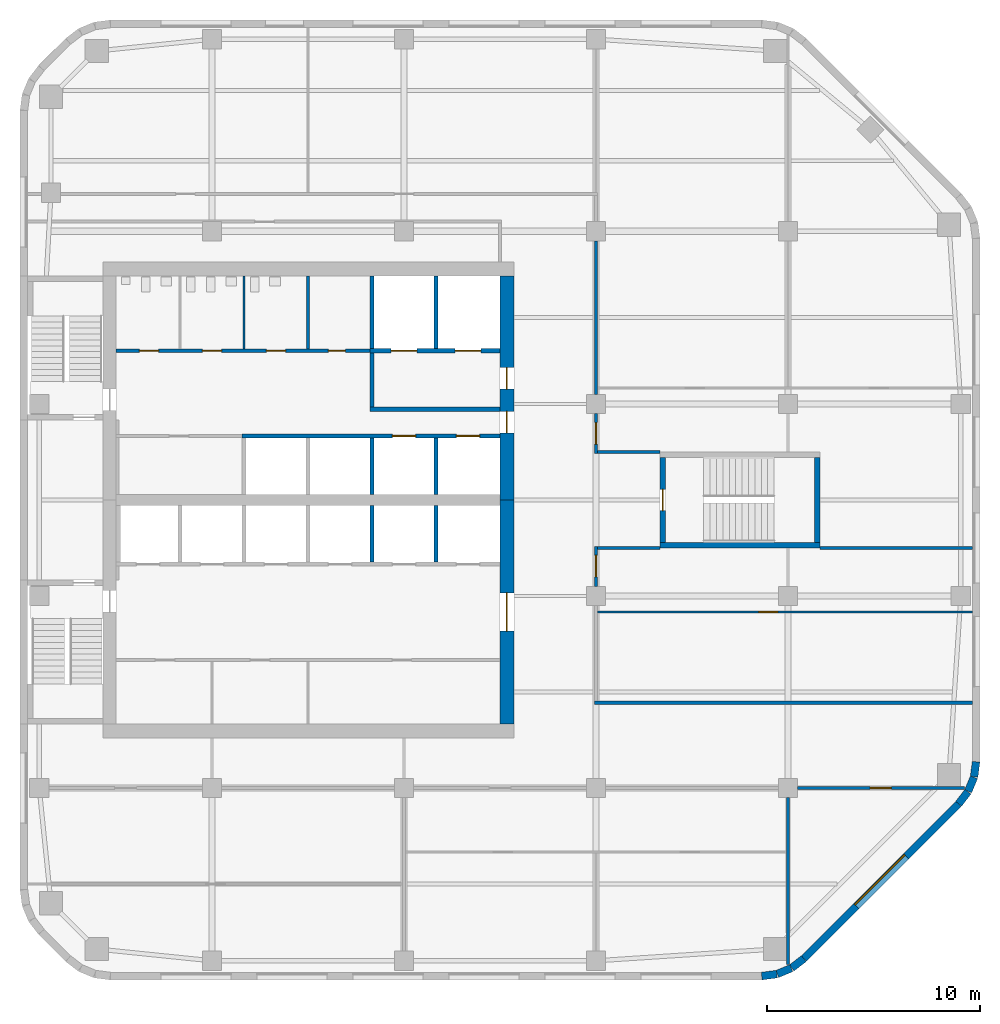
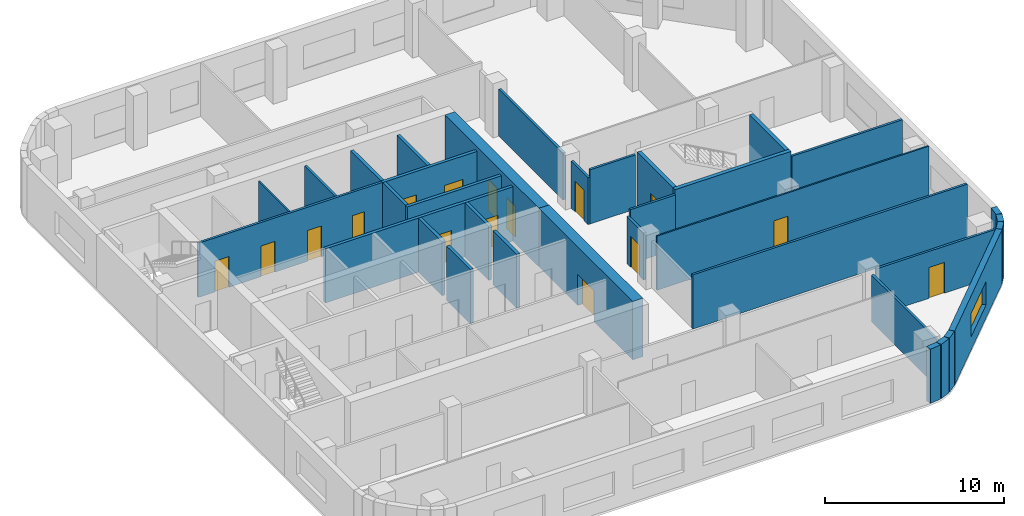
# One storey, part 4 of 8: 35 walls, 16 doors, 1 window, 17 openings.
"""IFC4 building model written with IfcOpenShell, lengths in metres."""

from ifc_helpers import new_model, si_unit, direction, frame, frame_2d, origin, place, context, subcontext, project, spatial, rectangle, extrude, material, layer, layer_set, type_object, element, fill, save


model = new_model("IFC4")

# Units and contexts
model_context = context("Model", 3, precision=1e-05, world=origin(), true_north=direction((0.0, 1.0)))
body_context = subcontext(model_context, "Body", "Model", "MODEL_VIEW")
ifc_project = project(units=[si_unit("LENGTHUNIT", "METRE"), si_unit("AREAUNIT", "SQUARE_METRE"), si_unit("VOLUMEUNIT", "CUBIC_METRE"), si_unit("PLANEANGLEUNIT", "RADIAN"), si_unit("MASSUNIT", "GRAM", prefix="KILO")], contexts=[model_context])

# Site, building, storey
site_placement = place(None, origin())
site = spatial("IfcSite", under=ifc_project, at=site_placement, CompositionType="ELEMENT")
building_placement = place(site_placement, origin())
building = spatial("IfcBuilding", under=site, at=building_placement, Name="Cinnabar Reach Civic Tower", CompositionType="ELEMENT")
storey_placement = place(building_placement, frame((0.0, 0.0, 189.0)))
storey = spatial("IfcBuildingStorey", under=building, at=storey_placement, Name="L45", CompositionType="ELEMENT", Elevation=189.0)

# Walls
ifc_material_1 = material(Name="Facing brick with insulated backing", Category="masonry")
ifc_layer_1 = layer(ifc_material_1, 0.36)
ifc_layer_set_1 = layer_set([ifc_layer_1], Name="Brick corner wall")
wall_type_1 = type_object("IfcWallType", Name="Brick corner wall", PredefinedType="STANDARD", material=ifc_layer_set_1)
for number, where, z_axis, x_axis, name in (
    (1, (34.7686, 9.183, 0.0), (0.0, 0.0, 1.0), (0.99144092581, 0.13055608231, 0.0), "Brick corner wall"),
    (2, (35.4973, 9.2819, 0.0), (0.0, 0.0, 1.0), (0.923871547278, 0.382702709855, 0.0), "Brick corner wall"),
):
    element("IfcWall", number, at=place(storey_placement, frame(where, z_axis=z_axis, x_axis=x_axis)), inside=storey, type_object=wall_type_1, Name=name, PredefinedType="STANDARD", context=body_context, shape_type="SweptSolid", body=[
        extrude(rectangle(XDim=0.7131, YDim=0.36, at=frame_2d((0.3565, 0.0))), origin(), (0.0, 0.0, 1.0), 3.7),
    ])
for number, where, z_axis, x_axis, name in (
    (3, (36.1755, 9.566, 0.0), (0.0, 0.0, 1.0), (0.793321924995, 0.608802368033, 0.0), "Brick corner wall"),
    (4, (43.9998, 17.2587, 0.0), (0.0, 0.0, 1.0), (0.608802368033, 0.793321924995, 0.0), "Brick corner wall"),
):
    element("IfcWall", number, at=place(storey_placement, frame(where, z_axis=z_axis, x_axis=x_axis)), inside=storey, type_object=wall_type_1, Name=name, PredefinedType="STANDARD", context=body_context, shape_type="SweptSolid", body=[
        extrude(rectangle(XDim=0.7132, YDim=0.36, at=frame_2d((0.3566, 0.0))), origin(), (0.0, 0.0, 1.0), 3.7),
    ])
for number, where, z_axis, x_axis, name in (
    (5, (44.4452, 17.8439, 0.0), (0.0, 0.0, 1.0), (0.382702709855, 0.923871547278, 0.0), "Brick corner wall"),
    (6, (44.7239, 18.5244, 0.0), (0.0, 0.0, 1.0), (0.13055608231, 0.99144092581, 0.0), "Brick corner wall"),
):
    element("IfcWall", number, at=place(storey_placement, frame(where, z_axis=z_axis, x_axis=x_axis)), inside=storey, type_object=wall_type_1, Name=name, PredefinedType="STANDARD", context=body_context, shape_type="SweptSolid", body=[
        extrude(rectangle(XDim=0.7131, YDim=0.36, at=frame_2d((0.3565, 0.0))), origin(), (0.0, 0.0, 1.0), 3.7),
    ])

# Wall, opening, window
ifc_layer_2 = layer(ifc_material_1, 0.36)
ifc_layer_set_2 = layer_set([ifc_layer_2], Name="Brick pier and spandrel wall")
wall_type_2 = type_object("IfcWallType", Name="Brick pier and spandrel wall", PredefinedType="STANDARD", material=ifc_layer_set_2)
wall_1_placement = place(storey_placement, frame((36.7514, 10.006, 0.0), z_axis=(0.0, 0.0, 1.0), x_axis=(0.707106781187, 0.707106781187, 0.0)))
wall_1 = element("IfcWall", 7, at=wall_1_placement, inside=storey, type_object=wall_type_2, Name="Brick facade wall", PredefinedType="STANDARD", context=body_context, shape_type="SweptSolid", body=[
    extrude(rectangle(XDim=10.2426, YDim=0.36, at=frame_2d((5.1213, 0.0))), origin(), (0.0, 0.0, 1.0), 3.7),
])
opening_1_placement = place(wall_1_placement, frame((3.4713, 0.0, 0.9)))
opening_1 = element("IfcOpeningElement", 8, at=opening_1_placement, cuts=wall_1, Name="Opening W1927", PredefinedType="OPENING", context=body_context, shape_type="SweptSolid", body=[
    extrude(rectangle(XDim=3.3, YDim=1.6, at=frame_2d((1.65, 0.8))), frame((0.0, 0.19, 0.0), z_axis=(0.0, -1.0, 0.0), x_axis=(1.0, 0.0, 0.0)), (0.0, 0.0, 1.0), 0.38),
])
ifc_material_2 = material(Name="Clear double glazing in aluminium frame", Category="aluminium")
window_type = type_object("IfcWindowType", Name="Deep-set window A", PartitioningType="SINGLE_PANEL", PredefinedType="WINDOW", material=ifc_material_2)
window_placement = place(opening_1_placement, origin())
window = element("IfcWindow", 9, at=window_placement, inside=storey, type_object=window_type, Name="Window southeast face", OverallHeight=1.6, OverallWidth=3.3, PartitioningType="SINGLE_PANEL", PredefinedType="WINDOW", context=body_context, shape_type="SweptSolid", body=[
    extrude(rectangle(XDim=3.3, YDim=1.6, at=frame_2d((1.65, 0.8))), frame((0.0, 0.13, 0.0), z_axis=(0.0, -1.0, 0.0), x_axis=(1.0, 0.0, 0.0)), (0.0, 0.0, 1.0), 0.06),
])
fill(opening_1, window)

# Wall, opening, door
ifc_material_3 = material(Name="Concrete C70", Category="concrete")
ifc_layer_3 = layer(ifc_material_3, 0.65)
ifc_layer_set_3 = layer_set([ifc_layer_3], Name="Core wall 650 EI 180")
wall_type_3 = type_object("IfcWallType", Name="Core wall 650 EI 180", PredefinedType="SOLIDWALL", material=ifc_layer_set_3)
wall_2_placement = place(storey_placement, frame((22.825, 21.0, 0.0), z_axis=(0.0, 0.0, 1.0), x_axis=(0.0, 1.0, 0.0)))
wall_2 = element("IfcWall", 10, at=wall_2_placement, inside=storey, type_object=wall_type_3, Name="Core wall T1 L45 E", PredefinedType="SOLIDWALL", context=body_context, shape_type="SweptSolid", body=[
    extrude(rectangle(XDim=10.5, YDim=0.65, at=frame_2d((5.25, 0.0))), origin(), (0.0, 0.0, 1.0), 4.0),
])
opening_2_placement = place(wall_2_placement, frame((4.35, 0.0, 0.0)))
opening_2 = element("IfcOpeningElement", 11, at=opening_2_placement, cuts=wall_2, Name="Opening D4847", PredefinedType="OPENING", context=body_context, shape_type="SweptSolid", body=[
    extrude(rectangle(XDim=1.8, YDim=2.1, at=frame_2d((0.9, 1.05))), frame((0.0, 0.335, 0.0), z_axis=(0.0, -1.0, 0.0), x_axis=(1.0, 0.0, 0.0)), (0.0, 0.0, 1.0), 0.67),
])
ifc_material_4 = material(Name="Timber door leaf in steel frame", Category="steel")
door_type_1 = type_object("IfcDoorType", Name="Double swing door 1800 x 2100 T1", OperationType="DOUBLE_DOOR_DOUBLE_SWING", PredefinedType="DOOR", material=ifc_material_4)
door_1_placement = place(opening_2_placement, origin())
door_1 = element("IfcDoor", 12, at=door_1_placement, inside=storey, type_object=door_type_1, Name="Door D4847", OperationType="DOUBLE_DOOR_DOUBLE_SWING", OverallHeight=2.1, OverallWidth=1.8, PredefinedType="DOOR", context=body_context, shape_type="SweptSolid", body=[
    extrude(rectangle(XDim=1.8, YDim=2.1, at=frame_2d((0.9, 1.05))), frame((0.0, 0.025, 0.0), z_axis=(0.0, -1.0, 0.0), x_axis=(1.0, 0.0, 0.0)), (0.0, 0.0, 1.0), 0.05),
])
fill(opening_2, door_1)

# Wall, openings, doors
wall_3_placement = place(storey_placement, frame((22.825, 31.5, 0.0), z_axis=(0.0, 0.0, 1.0), x_axis=(0.0, 1.0, 0.0)))
wall_3 = element("IfcWall", 13, at=wall_3_placement, inside=storey, type_object=wall_type_3, Name="Core wall T1 L45 E2", PredefinedType="SOLIDWALL", context=body_context, shape_type="SweptSolid", body=[
    extrude(rectangle(XDim=10.5, YDim=0.65, at=frame_2d((5.25, 0.0))), origin(), (0.0, 0.0, 1.0), 4.0),
])
opening_3_placement = place(wall_3_placement, frame((3.15, 0.0, 0.0)))
opening_3 = element("IfcOpeningElement", 14, at=opening_3_placement, cuts=wall_3, Name="Opening D4848", PredefinedType="OPENING", context=body_context, shape_type="SweptSolid", body=[
    extrude(rectangle(XDim=1.0, YDim=2.1, at=frame_2d((0.5, 1.05))), frame((0.0, 0.335, 0.0), z_axis=(0.0, -1.0, 0.0), x_axis=(1.0, 0.0, 0.0)), (0.0, 0.0, 1.0), 0.67),
])
opening_4_placement = place(wall_3_placement, frame((5.2, 0.0, 0.0)))
opening_4 = element("IfcOpeningElement", 15, at=opening_4_placement, cuts=wall_3, Name="Opening D4849", PredefinedType="OPENING", context=body_context, shape_type="SweptSolid", body=[
    extrude(rectangle(XDim=1.0, YDim=2.1, at=frame_2d((0.5, 1.05))), frame((0.0, 0.335, 0.0), z_axis=(0.0, -1.0, 0.0), x_axis=(1.0, 0.0, 0.0)), (0.0, 0.0, 1.0), 0.67),
])
door_type_2 = type_object("IfcDoorType", Name="Firefighting lobby door 1000 x 2100 T1", OperationType="SINGLE_SWING_LEFT", PredefinedType="DOOR", material=ifc_material_4)
door_2_placement = place(opening_4_placement, origin())
door_2 = element("IfcDoor", 16, at=door_2_placement, inside=storey, type_object=door_type_2, Name="Door D4849", OperationType="SINGLE_SWING_RIGHT", OverallHeight=2.1, OverallWidth=1.0, PredefinedType="DOOR", context=body_context, shape_type="SweptSolid", body=[
    extrude(rectangle(XDim=1.0, YDim=2.1, at=frame_2d((0.5, 1.05))), frame((0.0, 0.025, 0.0), z_axis=(0.0, -1.0, 0.0), x_axis=(1.0, 0.0, 0.0)), (0.0, 0.0, 1.0), 0.05),
])
fill(opening_4, door_2)
door_type_3 = type_object("IfcDoorType", Name="Single swing door 1000 x 2100 T1", OperationType="SINGLE_SWING_LEFT", PredefinedType="DOOR", material=ifc_material_4)
door_3_placement = place(opening_3_placement, origin())
door_3 = element("IfcDoor", 17, at=door_3_placement, inside=storey, type_object=door_type_3, Name="Door D4848", OperationType="SINGLE_SWING_RIGHT", OverallHeight=2.1, OverallWidth=1.0, PredefinedType="DOOR", context=body_context, shape_type="SweptSolid", body=[
    extrude(rectangle(XDim=1.0, YDim=2.1, at=frame_2d((0.5, 1.05))), frame((0.0, 0.025, 0.0), z_axis=(0.0, -1.0, 0.0), x_axis=(1.0, 0.0, 0.0)), (0.0, 0.0, 1.0), 0.05),
])
fill(opening_3, door_3)

# Wall, opening, door
ifc_material_5 = material(Name="Gypsum board on steel studs, double layer", Category="steel")
ifc_layer_4 = layer(ifc_material_5, 0.15)
ifc_layer_set_4 = layer_set([ifc_layer_4], Name="Corridor wall 150 T1")
wall_type_4 = type_object("IfcWallType", Name="Corridor wall 150 T1", PredefinedType="PARTITIONING", material=ifc_layer_set_4)
wall_4_placement = place(storey_placement, frame((36.45, 18.0, 0.0), z_axis=(0.0, 0.0, 1.0), x_axis=(1.0, 0.0, 0.0)))
wall_4 = element("IfcWall", 18, at=wall_4_placement, inside=storey, type_object=wall_type_4, Name="Corridor wall 22", PredefinedType="PARTITIONING", context=body_context, shape_type="SweptSolid", body=[
    extrude(rectangle(XDim=7.834, YDim=0.15, at=frame_2d((3.917, 0.0))), origin(), (0.0, 0.0, 1.0), 3.2),
])
opening_5_placement = place(wall_4_placement, frame((3.4, 0.0, 0.0)))
opening_5 = element("IfcOpeningElement", 19, at=opening_5_placement, cuts=wall_4, Name="Opening D4869", PredefinedType="OPENING", context=body_context, shape_type="SweptSolid", body=[
    extrude(rectangle(XDim=1.0, YDim=2.1, at=frame_2d((0.5, 1.05))), frame((0.0, 0.085, 0.0), z_axis=(0.0, -1.0, 0.0), x_axis=(1.0, 0.0, 0.0)), (0.0, 0.0, 1.0), 0.17),
])
door_type_4 = type_object("IfcDoorType", Name="Tenancy entrance door 1000 x 2100 T1", OperationType="SINGLE_SWING_LEFT", PredefinedType="DOOR", material=ifc_material_4)
door_4_placement = place(opening_5_placement, frame((1.0, 0.0, 0.0), z_axis=(0.0, 0.0, 1.0), x_axis=(-1.0, 0.0, 0.0)))
door_4 = element("IfcDoor", 20, at=door_4_placement, inside=storey, type_object=door_type_4, Name="Door D4869", OperationType="SINGLE_SWING_LEFT", OverallHeight=2.1, OverallWidth=1.0, PredefinedType="DOOR", context=body_context, shape_type="SweptSolid", body=[
    extrude(rectangle(XDim=1.0, YDim=2.1, at=frame_2d((0.5, 1.05))), frame((0.0, 0.025, 0.0), z_axis=(0.0, -1.0, 0.0), x_axis=(1.0, 0.0, 0.0)), (0.0, 0.0, 1.0), 0.05),
])
fill(opening_5, door_4)

# Wall
wall_5_placement = place(storey_placement, frame((26.925, 22.0, 0.0), z_axis=(0.0, 0.0, 1.0), x_axis=(1.0, 0.0, 0.0)))
element("IfcWall", 21, at=wall_5_placement, inside=storey, type_object=wall_type_4, Name="Corridor wall 27", PredefinedType="PARTITIONING", context=body_context, shape_type="SweptSolid", body=[
    extrude(rectangle(XDim=17.715, YDim=0.15, at=frame_2d((8.8575, 0.0))), origin(), (0.0, 0.0, 1.0), 3.7),
])

# Wall, opening, door
wall_6_placement = place(storey_placement, frame((27.0, 33.675, 0.0), z_axis=(0.0, 0.0, 1.0), x_axis=(0.0, 1.0, 0.0)))
wall_6 = element("IfcWall", 22, at=wall_6_placement, inside=storey, type_object=wall_type_4, Name="Corridor wall 28", PredefinedType="PARTITIONING", context=body_context, shape_type="SweptSolid", body=[
    extrude(rectangle(XDim=1.875, YDim=0.15, at=frame_2d((0.9375, 0.0))), origin(), (0.0, 0.0, 1.0), 3.212),
])
opening_6_placement = place(wall_6_placement, frame((0.45, 0.0, 0.0)))
opening_6 = element("IfcOpeningElement", 23, at=opening_6_placement, cuts=wall_6, Name="Opening D4859", PredefinedType="OPENING", context=body_context, shape_type="SweptSolid", body=[
    extrude(rectangle(XDim=1.0, YDim=2.1, at=frame_2d((0.5, 1.05))), frame((0.0, 0.085, 0.0), z_axis=(0.0, -1.0, 0.0), x_axis=(1.0, 0.0, 0.0)), (0.0, 0.0, 1.0), 0.17),
])
door_5_placement = place(opening_6_placement, frame((1.0, 0.0, 0.0), z_axis=(0.0, 0.0, 1.0), x_axis=(-1.0, 0.0, 0.0)))
door_5 = element("IfcDoor", 24, at=door_5_placement, inside=storey, type_object=door_type_4, Name="Door D4859", OperationType="SINGLE_SWING_RIGHT", OverallHeight=2.1, OverallWidth=1.0, PredefinedType="DOOR", context=body_context, shape_type="SweptSolid", body=[
    extrude(rectangle(XDim=1.0, YDim=2.1, at=frame_2d((0.5, 1.05))), frame((0.0, 0.025, 0.0), z_axis=(0.0, -1.0, 0.0), x_axis=(1.0, 0.0, 0.0)), (0.0, 0.0, 1.0), 0.05),
])
fill(opening_6, door_5)

# Wall
wall_7_placement = place(storey_placement, frame((27.0, 36.45, 0.0), z_axis=(0.0, 0.0, 1.0), x_axis=(0.0, 1.0, 0.0)))
element("IfcWall", 25, at=wall_7_placement, inside=storey, type_object=wall_type_4, Name="Corridor wall 29", PredefinedType="PARTITIONING", context=body_context, shape_type="SweptSolid", body=[
    extrude(rectangle(XDim=7.2, YDim=0.15, at=frame_2d((3.6, 0.0))), origin(), (0.0, 0.0, 1.0), 3.212),
])

# Wall, openings, doors
wall_8_placement = place(storey_placement, frame((4.5, 38.5, 0.0), z_axis=(0.0, 0.0, 1.0), x_axis=(1.0, 0.0, 0.0)))
wall_8 = element("IfcWall", 26, at=wall_8_placement, inside=storey, type_object=wall_type_4, Name="Corridor wall 31", PredefinedType="PARTITIONING", context=body_context, shape_type="SweptSolid", body=[
    extrude(rectangle(XDim=11.9, YDim=0.15, at=frame_2d((5.95, 0.0))), origin(), (0.0, 0.0, 1.0), 3.7),
])
opening_7_placement = place(wall_8_placement, frame((1.1, 0.0, 0.0)))
opening_7 = element("IfcOpeningElement", 27, at=opening_7_placement, cuts=wall_8, Name="Opening D4855", PredefinedType="OPENING", context=body_context, shape_type="SweptSolid", body=[
    extrude(rectangle(XDim=0.9, YDim=2.1, at=frame_2d((0.45, 1.05))), frame((0.0, 0.085, 0.0), z_axis=(0.0, -1.0, 0.0), x_axis=(1.0, 0.0, 0.0)), (0.0, 0.0, 1.0), 0.17),
])
opening_8_placement = place(wall_8_placement, frame((4.05, 0.0, 0.0)))
opening_8 = element("IfcOpeningElement", 28, at=opening_8_placement, cuts=wall_8, Name="Opening D4856", PredefinedType="OPENING", context=body_context, shape_type="SweptSolid", body=[
    extrude(rectangle(XDim=0.9, YDim=2.1, at=frame_2d((0.45, 1.05))), frame((0.0, 0.085, 0.0), z_axis=(0.0, -1.0, 0.0), x_axis=(1.0, 0.0, 0.0)), (0.0, 0.0, 1.0), 0.17),
])
opening_9_placement = place(wall_8_placement, frame((7.05, 0.0, 0.0)))
opening_9 = element("IfcOpeningElement", 29, at=opening_9_placement, cuts=wall_8, Name="Opening D4857", PredefinedType="OPENING", context=body_context, shape_type="SweptSolid", body=[
    extrude(rectangle(XDim=0.9, YDim=2.1, at=frame_2d((0.45, 1.05))), frame((0.0, 0.085, 0.0), z_axis=(0.0, -1.0, 0.0), x_axis=(1.0, 0.0, 0.0)), (0.0, 0.0, 1.0), 0.17),
])
opening_10_placement = place(wall_8_placement, frame((9.95, 0.0, 0.0)))
opening_10 = element("IfcOpeningElement", 30, at=opening_10_placement, cuts=wall_8, Name="Opening D4858", PredefinedType="OPENING", context=body_context, shape_type="SweptSolid", body=[
    extrude(rectangle(XDim=0.8, YDim=2.1, at=frame_2d((0.4, 1.05))), frame((0.0, 0.085, 0.0), z_axis=(0.0, -1.0, 0.0), x_axis=(1.0, 0.0, 0.0)), (0.0, 0.0, 1.0), 0.17),
])
door_type_5 = type_object("IfcDoorType", Name="Riser access door 800 x 2100 T1", OperationType="SINGLE_SWING_LEFT", PredefinedType="DOOR", material=ifc_material_4)
door_6_placement = place(opening_10_placement, origin())
door_6 = element("IfcDoor", 31, at=door_6_placement, inside=storey, type_object=door_type_5, Name="Door D4858", OperationType="SINGLE_SWING_RIGHT", OverallHeight=2.1, OverallWidth=0.8, PredefinedType="DOOR", context=body_context, shape_type="SweptSolid", body=[
    extrude(rectangle(XDim=0.8, YDim=2.1, at=frame_2d((0.4, 1.05))), frame((0.0, 0.025, 0.0), z_axis=(0.0, -1.0, 0.0), x_axis=(1.0, 0.0, 0.0)), (0.0, 0.0, 1.0), 0.05),
])
fill(opening_10, door_6)
door_type_6 = type_object("IfcDoorType", Name="Single swing door 900 x 2100 corridor T1", OperationType="SINGLE_SWING_LEFT", PredefinedType="DOOR", material=ifc_material_4)
door_7_placement = place(opening_7_placement, origin())
door_7 = element("IfcDoor", 32, at=door_7_placement, inside=storey, type_object=door_type_6, Name="Door D4855", OperationType="SINGLE_SWING_LEFT", OverallHeight=2.1, OverallWidth=0.9, PredefinedType="DOOR", context=body_context, shape_type="SweptSolid", body=[
    extrude(rectangle(XDim=0.9, YDim=2.1, at=frame_2d((0.45, 1.05))), frame((0.0, 0.025, 0.0), z_axis=(0.0, -1.0, 0.0), x_axis=(1.0, 0.0, 0.0)), (0.0, 0.0, 1.0), 0.05),
])
fill(opening_7, door_7)
door_8_placement = place(opening_8_placement, origin())
door_8 = element("IfcDoor", 33, at=door_8_placement, inside=storey, type_object=door_type_6, Name="Door D4856", OperationType="SINGLE_SWING_LEFT", OverallHeight=2.1, OverallWidth=0.9, PredefinedType="DOOR", context=body_context, shape_type="SweptSolid", body=[
    extrude(rectangle(XDim=0.9, YDim=2.1, at=frame_2d((0.45, 1.05))), frame((0.0, 0.025, 0.0), z_axis=(0.0, -1.0, 0.0), x_axis=(1.0, 0.0, 0.0)), (0.0, 0.0, 1.0), 0.05),
])
fill(opening_8, door_8)
door_9_placement = place(opening_9_placement, origin())
door_9 = element("IfcDoor", 34, at=door_9_placement, inside=storey, type_object=door_type_6, Name="Door D4857", OperationType="SINGLE_SWING_RIGHT", OverallHeight=2.1, OverallWidth=0.9, PredefinedType="DOOR", context=body_context, shape_type="SweptSolid", body=[
    extrude(rectangle(XDim=0.9, YDim=2.1, at=frame_2d((0.45, 1.05))), frame((0.0, 0.025, 0.0), z_axis=(0.0, -1.0, 0.0), x_axis=(1.0, 0.0, 0.0)), (0.0, 0.0, 1.0), 0.05),
])
fill(opening_9, door_9)

# Wall, opening, door
wall_9_placement = place(storey_placement, frame((27.0, 27.45, 0.0), z_axis=(0.0, 0.0, 1.0), x_axis=(0.0, 1.0, 0.0)))
wall_9 = element("IfcWall", 35, at=wall_9_placement, inside=storey, type_object=wall_type_4, Name="Corridor wall 33", PredefinedType="PARTITIONING", context=body_context, shape_type="SweptSolid", body=[
    extrude(rectangle(XDim=1.875, YDim=0.15, at=frame_2d((0.9375, 0.0))), origin(), (0.0, 0.0, 1.0), 3.212),
])
opening_11_placement = place(wall_9_placement, frame((0.45, 0.0, 0.0)))
opening_11 = element("IfcOpeningElement", 36, at=opening_11_placement, cuts=wall_9, Name="Opening D4862", PredefinedType="OPENING", context=body_context, shape_type="SweptSolid", body=[
    extrude(rectangle(XDim=1.0, YDim=2.1, at=frame_2d((0.5, 1.05))), frame((0.0, 0.085, 0.0), z_axis=(0.0, -1.0, 0.0), x_axis=(1.0, 0.0, 0.0)), (0.0, 0.0, 1.0), 0.17),
])
door_10_placement = place(opening_11_placement, frame((1.0, 0.0, 0.0), z_axis=(0.0, 0.0, 1.0), x_axis=(-1.0, 0.0, 0.0)))
door_10 = element("IfcDoor", 37, at=door_10_placement, inside=storey, type_object=door_type_4, Name="Door D4862", OperationType="SINGLE_SWING_LEFT", OverallHeight=2.1, OverallWidth=1.0, PredefinedType="DOOR", context=body_context, shape_type="SweptSolid", body=[
    extrude(rectangle(XDim=1.0, YDim=2.1, at=frame_2d((0.5, 1.05))), frame((0.0, 0.025, 0.0), z_axis=(0.0, -1.0, 0.0), x_axis=(1.0, 0.0, 0.0)), (0.0, 0.0, 1.0), 0.05),
])
fill(opening_11, door_10)

# Walls
for number, where, z_axis, x_axis, name in (
    (38, (27.075, 29.25, 0.0), (0.0, 0.0, 1.0), (1.0, 0.0, 0.0), "Corridor wall 37"),
    (39, (27.075, 33.75, 0.0), (0.0, 0.0, 1.0), (1.0, 0.0, 0.0), "Corridor wall 38"),
):
    element("IfcWall", number, at=place(storey_placement, frame(where, z_axis=z_axis, x_axis=x_axis)), inside=storey, type_object=wall_type_4, Name=name, PredefinedType="PARTITIONING", context=body_context, shape_type="SweptSolid", body=[
        extrude(rectangle(XDim=2.925, YDim=0.15, at=frame_2d((1.4625, 0.0))), origin(), (0.0, 0.0, 1.0), 3.7),
    ])

# Wall, openings, doors
ifc_material_6 = material(Name="Blockwork", Category="masonry")
ifc_layer_5 = layer(ifc_material_6, 0.2)
ifc_layer_set_5 = layer_set([ifc_layer_5], Name="Lift shaft wall 200 T1")
wall_type_5 = type_object("IfcWallType", Name="Lift shaft wall 200 T1", PredefinedType="PARTITIONING", material=ifc_layer_set_5)
wall_10_placement = place(storey_placement, frame((10.4, 34.5, 0.0), z_axis=(0.0, 0.0, 1.0), x_axis=(1.0, 0.0, 0.0)))
wall_10 = element("IfcWall", 40, at=wall_10_placement, inside=storey, type_object=wall_type_5, Name="Lift shaft wall 5", PredefinedType="PARTITIONING", context=body_context, shape_type="SweptSolid", body=[
    extrude(rectangle(XDim=12.1, YDim=0.2, at=frame_2d((6.05, 0.0))), origin(), (0.0, 0.0, 1.0), 3.7),
])
opening_12_placement = place(wall_10_placement, frame((7.05, 0.0, 0.0)))
opening_12 = element("IfcOpeningElement", 41, at=opening_12_placement, cuts=wall_10, Name="Opening D4843", PredefinedType="OPENING", context=body_context, shape_type="SweptSolid", body=[
    extrude(rectangle(XDim=1.1, YDim=2.1, at=frame_2d((0.55, 1.05))), frame((0.0, 0.11, 0.0), z_axis=(0.0, -1.0, 0.0), x_axis=(1.0, 0.0, 0.0)), (0.0, 0.0, 1.0), 0.22),
])
opening_13_placement = place(wall_10_placement, frame((10.05, 0.0, 0.0)))
opening_13 = element("IfcOpeningElement", 42, at=opening_13_placement, cuts=wall_10, Name="Opening D4844", PredefinedType="OPENING", context=body_context, shape_type="SweptSolid", body=[
    extrude(rectangle(XDim=1.1, YDim=2.1, at=frame_2d((0.55, 1.05))), frame((0.0, 0.11, 0.0), z_axis=(0.0, -1.0, 0.0), x_axis=(1.0, 0.0, 0.0)), (0.0, 0.0, 1.0), 0.22),
])
ifc_material_7 = material(Name="Stainless steel sliding door", Category="steel")
door_type_7 = type_object("IfcDoorType", Name="Lift landing door 1100 x 2100 T1", OperationType="SLIDING_TO_LEFT", PredefinedType="DOOR", material=ifc_material_7)
door_11_placement = place(opening_12_placement, origin())
door_11 = element("IfcDoor", 43, at=door_11_placement, inside=storey, type_object=door_type_7, Name="Lift landing door SV1 L45", OperationType="SLIDING_TO_LEFT", OverallHeight=2.1, OverallWidth=1.1, PredefinedType="DOOR", context=body_context, shape_type="SweptSolid", body=[
    extrude(rectangle(XDim=1.1, YDim=2.1, at=frame_2d((0.55, 1.05))), frame((0.0, 0.025, 0.0), z_axis=(0.0, -1.0, 0.0), x_axis=(1.0, 0.0, 0.0)), (0.0, 0.0, 1.0), 0.05),
])
fill(opening_12, door_11)
door_12_placement = place(opening_13_placement, origin())
door_12 = element("IfcDoor", 44, at=door_12_placement, inside=storey, type_object=door_type_7, Name="Lift landing door SV2 L45", OperationType="SLIDING_TO_LEFT", OverallHeight=2.1, OverallWidth=1.1, PredefinedType="DOOR", context=body_context, shape_type="SweptSolid", body=[
    extrude(rectangle(XDim=1.1, YDim=2.1, at=frame_2d((0.55, 1.05))), frame((0.0, 0.025, 0.0), z_axis=(0.0, -1.0, 0.0), x_axis=(1.0, 0.0, 0.0)), (0.0, 0.0, 1.0), 0.05),
])
fill(opening_13, door_12)

# Walls
for number, where, z_axis, x_axis, name in (
    (45, (16.5, 28.6, 0.0), (0.0, 0.0, 1.0), (0.0, 1.0, 0.0), "Lift shaft wall 10"),
    (46, (16.5, 31.75, 0.0), (0.0, 0.0, 1.0), (0.0, 1.0, 0.0), "Lift shaft wall 11"),
    (47, (19.5, 28.6, 0.0), (0.0, 0.0, 1.0), (0.0, 1.0, 0.0), "Lift shaft wall 12"),
    (48, (19.5, 31.75, 0.0), (0.0, 0.0, 1.0), (0.0, 1.0, 0.0), "Lift shaft wall 13"),
):
    element("IfcWall", number, at=place(storey_placement, frame(where, z_axis=z_axis, x_axis=x_axis)), inside=storey, type_object=wall_type_5, Name=name, PredefinedType="PARTITIONING", context=body_context, shape_type="SweptSolid", body=[
        extrude(rectangle(XDim=2.65, YDim=0.2, at=frame_2d((1.325, 0.0))), origin(), (0.0, 0.0, 1.0), 3.7),
    ])
for number, where, z_axis, x_axis, name in (
    (49, (16.5, 38.6, 0.0), (0.0, 0.0, 1.0), (0.0, 1.0, 0.0), "Lift shaft wall 14"),
    (50, (19.5, 38.6, 0.0), (0.0, 0.0, 1.0), (0.0, 1.0, 0.0), "Lift shaft wall 15"),
):
    element("IfcWall", number, at=place(storey_placement, frame(where, z_axis=z_axis, x_axis=x_axis)), inside=storey, type_object=wall_type_5, Name=name, PredefinedType="PARTITIONING", context=body_context, shape_type="SweptSolid", body=[
        extrude(rectangle(XDim=3.4, YDim=0.2, at=frame_2d((1.7, 0.0))), origin(), (0.0, 0.0, 1.0), 3.7),
    ])

# Wall, opening, door
ifc_material_8 = material(Name="Gypsum board on steel studs", Category="steel")
ifc_layer_6 = layer(ifc_material_8, 0.1)
ifc_layer_set_6 = layer_set([ifc_layer_6], Name="Partition wall 100 T1")
wall_type_6 = type_object("IfcWallType", Name="Partition wall 100 T1", PredefinedType="PARTITIONING", material=ifc_layer_set_6)
wall_11_placement = place(storey_placement, frame((27.075, 26.25, 0.0), z_axis=(0.0, 0.0, 1.0), x_axis=(1.0, 0.0, 0.0)))
wall_11 = element("IfcWall", 51, at=wall_11_placement, inside=storey, type_object=wall_type_6, Name="Partition wall 47", PredefinedType="PARTITIONING", context=body_context, shape_type="SweptSolid", body=[
    extrude(rectangle(XDim=17.565, YDim=0.1, at=frame_2d((8.7825, 0.0))), origin(), (0.0, 0.0, 1.0), 3.7),
])
opening_14_placement = place(wall_11_placement, frame((7.55, 0.0, 0.0)))
opening_14 = element("IfcOpeningElement", 52, at=opening_14_placement, cuts=wall_11, Name="Opening D4863", PredefinedType="OPENING", context=body_context, shape_type="SweptSolid", body=[
    extrude(rectangle(XDim=0.9, YDim=2.1, at=frame_2d((0.45, 1.05))), frame((0.0, 0.06, 0.0), z_axis=(0.0, -1.0, 0.0), x_axis=(1.0, 0.0, 0.0)), (0.0, 0.0, 1.0), 0.12),
])
door_type_8 = type_object("IfcDoorType", Name="Single swing door 900 x 2100 T1", OperationType="SINGLE_SWING_LEFT", PredefinedType="DOOR", material=ifc_material_4)
door_13_placement = place(opening_14_placement, origin())
door_13 = element("IfcDoor", 53, at=door_13_placement, inside=storey, type_object=door_type_8, Name="Door D4863", OperationType="SINGLE_SWING_RIGHT", OverallHeight=2.1, OverallWidth=0.9, PredefinedType="DOOR", context=body_context, shape_type="SweptSolid", body=[
    extrude(rectangle(XDim=0.9, YDim=2.1, at=frame_2d((0.45, 1.05))), frame((0.0, 0.025, 0.0), z_axis=(0.0, -1.0, 0.0), x_axis=(1.0, 0.0, 0.0)), (0.0, 0.0, 1.0), 0.05),
])
fill(opening_14, door_13)

# Walls
wall_12_placement = place(storey_placement, frame((10.5, 38.575, 0.0), z_axis=(0.0, 0.0, 1.0), x_axis=(0.0, 1.0, 0.0)))
element("IfcWall", 54, at=wall_12_placement, inside=storey, type_object=wall_type_6, Name="Partition wall 55", PredefinedType="PARTITIONING", context=body_context, shape_type="SweptSolid", body=[
    extrude(rectangle(XDim=3.425, YDim=0.1, at=frame_2d((1.7125, 0.0))), origin(), (0.0, 0.0, 1.0), 3.7),
])
ifc_material_9 = material(Name="Concrete C40", Category="concrete")
ifc_layer_7 = layer(ifc_material_9, 0.2)
ifc_layer_set_7 = layer_set([ifc_layer_7], Name="Refuge compartment wall 200 T1")
wall_type_7 = type_object("IfcWallType", Name="Refuge compartment wall 200 T1", PredefinedType="PARTITIONING", material=ifc_layer_set_7)
wall_13_placement = place(storey_placement, frame((16.4, 35.75, 0.0), z_axis=(0.0, 0.0, 1.0), x_axis=(1.0, 0.0, 0.0)))
element("IfcWall", 55, at=wall_13_placement, inside=storey, type_object=wall_type_7, Name="Refuge compartment wall 1", PredefinedType="PARTITIONING", context=body_context, shape_type="SweptSolid", body=[
    extrude(rectangle(XDim=6.1, YDim=0.2, at=frame_2d((3.05, 0.0))), origin(), (0.0, 0.0, 1.0), 3.7),
])

# Wall, openings, doors
wall_14_placement = place(storey_placement, frame((16.4, 38.5, 0.0), z_axis=(0.0, 0.0, 1.0), x_axis=(1.0, 0.0, 0.0)))
wall_14 = element("IfcWall", 56, at=wall_14_placement, inside=storey, type_object=wall_type_7, Name="Refuge compartment wall 2", PredefinedType="PARTITIONING", context=body_context, shape_type="SweptSolid", body=[
    extrude(rectangle(XDim=6.1, YDim=0.2, at=frame_2d((3.05, 0.0))), origin(), (0.0, 0.0, 1.0), 3.7),
])
opening_15_placement = place(wall_14_placement, frame((1.0, 0.0, 0.0)))
opening_15 = element("IfcOpeningElement", 57, at=opening_15_placement, cuts=wall_14, Name="Opening D4845", PredefinedType="OPENING", context=body_context, shape_type="SweptSolid", body=[
    extrude(rectangle(XDim=1.2, YDim=2.1, at=frame_2d((0.6, 1.05))), frame((0.0, 0.11, 0.0), z_axis=(0.0, -1.0, 0.0), x_axis=(1.0, 0.0, 0.0)), (0.0, 0.0, 1.0), 0.22),
])
opening_16_placement = place(wall_14_placement, frame((4.0, 0.0, 0.0)))
opening_16 = element("IfcOpeningElement", 58, at=opening_16_placement, cuts=wall_14, Name="Opening D4846", PredefinedType="OPENING", context=body_context, shape_type="SweptSolid", body=[
    extrude(rectangle(XDim=1.2, YDim=2.1, at=frame_2d((0.6, 1.05))), frame((0.0, 0.11, 0.0), z_axis=(0.0, -1.0, 0.0), x_axis=(1.0, 0.0, 0.0)), (0.0, 0.0, 1.0), 0.22),
])
door_type_9 = type_object("IfcDoorType", Name="Firefighting lift landing door 1200 x 2100 T1", OperationType="SLIDING_TO_LEFT", PredefinedType="DOOR", material=ifc_material_7)
door_14_placement = place(opening_15_placement, origin())
door_14 = element("IfcDoor", 59, at=door_14_placement, inside=storey, type_object=door_type_9, Name="Lift landing door FF1 L45", OperationType="SLIDING_TO_LEFT", OverallHeight=2.1, OverallWidth=1.2, PredefinedType="DOOR", context=body_context, shape_type="SweptSolid", body=[
    extrude(rectangle(XDim=1.2, YDim=2.1, at=frame_2d((0.6, 1.05))), frame((0.0, 0.025, 0.0), z_axis=(0.0, -1.0, 0.0), x_axis=(1.0, 0.0, 0.0)), (0.0, 0.0, 1.0), 0.05),
])
fill(opening_15, door_14)
door_15_placement = place(opening_16_placement, origin())
door_15 = element("IfcDoor", 60, at=door_15_placement, inside=storey, type_object=door_type_9, Name="Lift landing door FF2 L45", OperationType="SLIDING_TO_LEFT", OverallHeight=2.1, OverallWidth=1.2, PredefinedType="DOOR", context=body_context, shape_type="SweptSolid", body=[
    extrude(rectangle(XDim=1.2, YDim=2.1, at=frame_2d((0.6, 1.05))), frame((0.0, 0.025, 0.0), z_axis=(0.0, -1.0, 0.0), x_axis=(1.0, 0.0, 0.0)), (0.0, 0.0, 1.0), 0.05),
])
fill(opening_16, door_15)

# Walls
wall_15_placement = place(storey_placement, frame((16.5, 35.85, 0.0), z_axis=(0.0, 0.0, 1.0), x_axis=(0.0, 1.0, 0.0)))
element("IfcWall", 61, at=wall_15_placement, inside=storey, type_object=wall_type_7, Name="Refuge compartment wall 3", PredefinedType="PARTITIONING", context=body_context, shape_type="SweptSolid", body=[
    extrude(rectangle(XDim=2.55, YDim=0.2, at=frame_2d((1.275, 0.0))), origin(), (0.0, 0.0, 1.0), 3.7),
])
ifc_layer_8 = layer(ifc_material_6, 0.15)
ifc_layer_set_8 = layer_set([ifc_layer_8], Name="Riser wall 150 T1")
wall_type_8 = type_object("IfcWallType", Name="Riser wall 150 T1", PredefinedType="PARTITIONING", material=ifc_layer_set_8)
wall_16_placement = place(storey_placement, frame((13.5, 38.575, 0.0), z_axis=(0.0, 0.0, 1.0), x_axis=(0.0, 1.0, 0.0)))
element("IfcWall", 62, at=wall_16_placement, inside=storey, type_object=wall_type_8, Name="Riser wall 41", PredefinedType="PARTITIONING", context=body_context, shape_type="SweptSolid", body=[
    extrude(rectangle(XDim=3.425, YDim=0.15, at=frame_2d((1.7125, 0.0))), origin(), (0.0, 0.0, 1.0), 3.7),
])
ifc_material_10 = material(Name="Concrete C60", Category="concrete")
ifc_layer_9 = layer(ifc_material_10, 0.25)
ifc_layer_set_9 = layer_set([ifc_layer_9], Name="Stair shaft wall 250 EI 120")
wall_type_9 = type_object("IfcWallType", Name="Stair shaft wall 250 EI 120", PredefinedType="SOLIDWALL", material=ifc_layer_set_9)
wall_17_placement = place(storey_placement, frame((30.0, 29.375, 0.0), z_axis=(0.0, 0.0, 1.0), x_axis=(1.0, 0.0, 0.0)))
element("IfcWall", 63, at=wall_17_placement, inside=storey, type_object=wall_type_9, Name="Stair shaft wall T1-S3 L45", PredefinedType="SOLIDWALL", context=body_context, shape_type="SweptSolid", body=[
    extrude(rectangle(XDim=7.5, YDim=0.25, at=frame_2d((3.75, 0.0))), origin(), (0.0, 0.0, 1.0), 4.0),
])
wall_18_placement = place(storey_placement, frame((37.375, 29.5, 0.0), z_axis=(0.0, 0.0, 1.0), x_axis=(0.0, 1.0, 0.0)))
element("IfcWall", 64, at=wall_18_placement, inside=storey, type_object=wall_type_9, Name="Stair shaft wall T1-S3 L45", PredefinedType="SOLIDWALL", context=body_context, shape_type="SweptSolid", body=[
    extrude(rectangle(XDim=4.0, YDim=0.25, at=frame_2d((2.0, 0.0))), origin(), (0.0, 0.0, 1.0), 4.0),
])

# Wall, opening, door
wall_19_placement = place(storey_placement, frame((30.125, 33.5, 0.0), z_axis=(0.0, 0.0, 1.0), x_axis=(0.0, -1.0, 0.0)))
wall_19 = element("IfcWall", 65, at=wall_19_placement, inside=storey, type_object=wall_type_9, Name="Stair shaft wall T1-S3 L45", PredefinedType="SOLIDWALL", context=body_context, shape_type="SweptSolid", body=[
    extrude(rectangle(XDim=4.0, YDim=0.25, at=frame_2d((2.0, 0.0))), origin(), (0.0, 0.0, 1.0), 4.0),
])
opening_17_placement = place(wall_19_placement, frame((1.5, 0.0, 0.0)))
opening_17 = element("IfcOpeningElement", 66, at=opening_17_placement, cuts=wall_19, Name="Opening D4850", PredefinedType="OPENING", context=body_context, shape_type="SweptSolid", body=[
    extrude(rectangle(XDim=1.0, YDim=2.1, at=frame_2d((0.5, 1.05))), frame((0.0, 0.135, 0.0), z_axis=(0.0, -1.0, 0.0), x_axis=(1.0, 0.0, 0.0)), (0.0, 0.0, 1.0), 0.27),
])
door_type_10 = type_object("IfcDoorType", Name="Stair door 1000 x 2100 T1", OperationType="SINGLE_SWING_LEFT", PredefinedType="DOOR", material=ifc_material_4)
door_16_placement = place(opening_17_placement, origin())
door_16 = element("IfcDoor", 67, at=door_16_placement, inside=storey, type_object=door_type_10, Name="Door D4850", OperationType="SINGLE_SWING_RIGHT", OverallHeight=2.1, OverallWidth=1.0, PredefinedType="DOOR", context=body_context, shape_type="SweptSolid", body=[
    extrude(rectangle(XDim=1.0, YDim=2.1, at=frame_2d((0.5, 1.05))), frame((0.0, 0.025, 0.0), z_axis=(0.0, -1.0, 0.0), x_axis=(1.0, 0.0, 0.0)), (0.0, 0.0, 1.0), 0.05),
])
fill(opening_17, door_16)

# Walls
ifc_layer_10 = layer(ifc_material_5, 0.15)
ifc_layer_set_10 = layer_set([ifc_layer_10], Name="Tenancy separating wall 150 T1")
wall_type_10 = type_object("IfcWallType", Name="Tenancy separating wall 150 T1", PredefinedType="PARTITIONING", material=ifc_layer_set_10)
wall_20_placement = place(storey_placement, frame((36.0, 9.716, 0.0), z_axis=(0.0, 0.0, 1.0), x_axis=(0.0, 1.0, 0.0)))
element("IfcWall", 68, at=wall_20_placement, inside=storey, type_object=wall_type_10, Name="Tenancy separating wall 43", PredefinedType="PARTITIONING", context=body_context, shape_type="SweptSolid", body=[
    extrude(rectangle(XDim=7.834, YDim=0.15, at=frame_2d((3.917, 0.0))), origin(), (0.0, 0.0, 1.0), 3.2),
])
wall_21_placement = place(storey_placement, frame((37.5, 29.25, 0.0), z_axis=(0.0, 0.0, 1.0), x_axis=(1.0, 0.0, 0.0)))
element("IfcWall", 69, at=wall_21_placement, inside=storey, type_object=wall_type_10, Name="Tenancy separating wall 44", PredefinedType="PARTITIONING", context=body_context, shape_type="SweptSolid", body=[
    extrude(rectangle(XDim=7.14, YDim=0.15, at=frame_2d((3.57, 0.0))), origin(), (0.0, 0.0, 1.0), 3.7),
])

save(model, "model.ifc")
